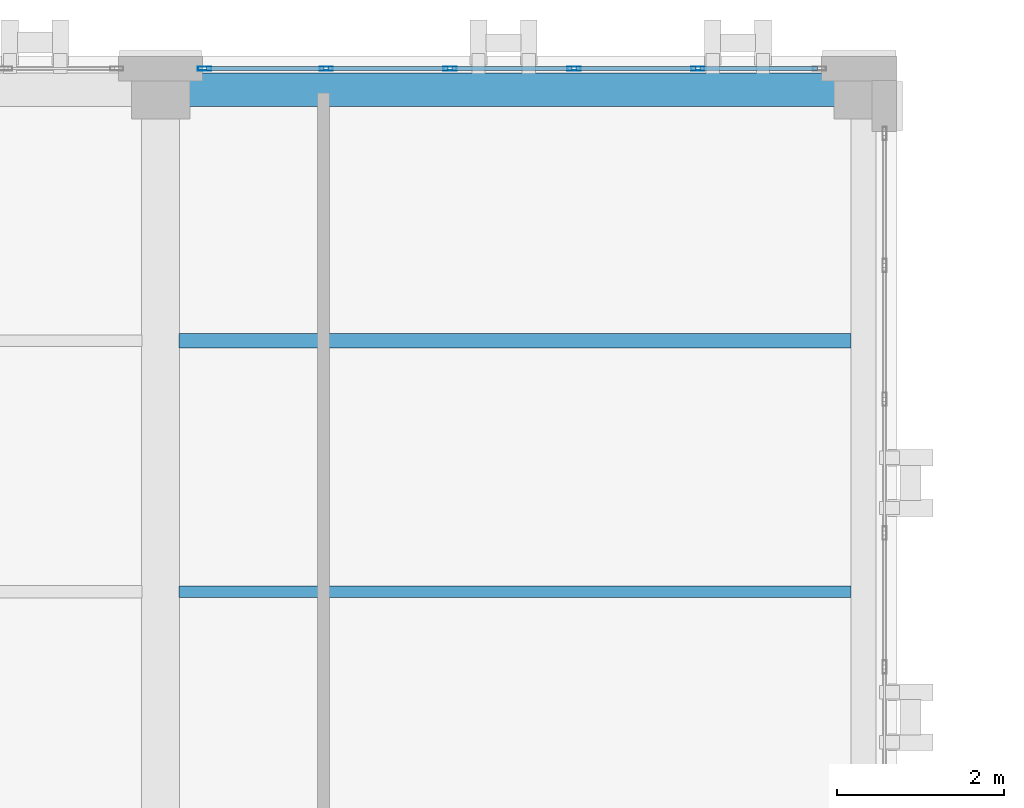
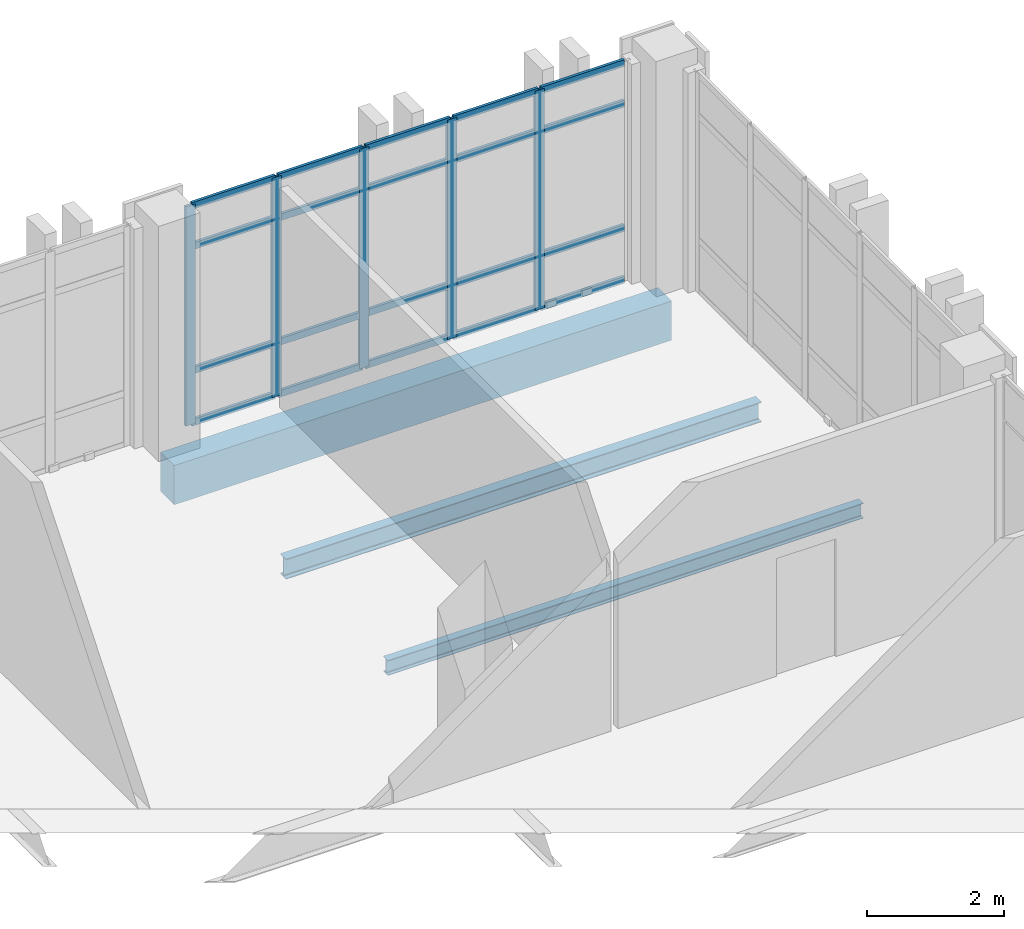
# One storey, part 97 of 165: 25 members, 3 beams, 1 element without a shape of its own.
"""IFC4 building model written with IfcOpenShell, lengths in metres."""

from ifc_helpers import new_model, si_unit, direction, frame, origin, origin_2d, place, context, subcontext, project, spatial, rectangle, hollow_rectangle, i_section, extrude, material, layer, layer_set, material_profile, profile_set, type_object, element, aggregate, save


model = new_model("IFC4")

# Units and contexts
model_context = context("Model", 3, precision=1e-05, world=origin(), true_north=direction((0.0, 1.0)))
body_context = subcontext(model_context, "Body", "Model", "MODEL_VIEW")
ifc_project = project(units=[si_unit("LENGTHUNIT", "METRE"), si_unit("AREAUNIT", "SQUARE_METRE"), si_unit("VOLUMEUNIT", "CUBIC_METRE"), si_unit("PLANEANGLEUNIT", "RADIAN"), si_unit("MASSUNIT", "GRAM", prefix="KILO")], contexts=[model_context])

# Site, building, storey
site_placement = place(None, origin())
site = spatial("IfcSite", under=ifc_project, at=site_placement, CompositionType="ELEMENT")
building_placement = place(site_placement, origin())
building = spatial("IfcBuilding", under=site, at=building_placement, Name="Qalavern Law Courts", CompositionType="ELEMENT")
storey_placement = place(building_placement, frame((0.0, 0.0, 14.39990234375)))
storey = spatial("IfcBuildingStorey", under=building, at=storey_placement, Name="L03", CompositionType="ELEMENT", Elevation=14.39990234375)

# Curtain wall, members
ifc_material_1 = material(Name="Anodised aluminium and insulated glazing", Category="aluminium")
ifc_layer = layer(ifc_material_1, 0.166015625)
ifc_layer_set = layer_set([ifc_layer], Name="Anodised aluminium and insulated glazing")
curtain_wall_type = type_object("IfcCurtainWallType", Name="ENV-CW-LIB", PredefinedType="USERDEFINED", material=ifc_layer_set)
curtain_wall_placement = place(storey_placement, origin())
curtain_wall = element("IfcCurtainWall", 1, at=curtain_wall_placement, inside=storey, type_object=curtain_wall_type, Name="V5 unitised curtain wall L03 north 1", ObjectType="UNITISED CURTAIN WALL", PredefinedType="USERDEFINED")
ifc_material_2 = material(Name="Anodised aluminium", Category="aluminium")
ifc_material_profile_1 = material_profile(ifc_material_2, hollow_rectangle(XDim=0.048095703125, YDim=0.159912109375, WallThickness=0.00390625, at=origin_2d()), Name="ALU MULLION 48x160")
ifc_profile_set_1 = profile_set([ifc_material_profile_1], Name="Anodised aluminium")
member_type_1 = type_object("IfcMemberType", Name="ENV-CWM-48x160", PredefinedType="MULLION", material=ifc_profile_set_1)
member_1_placement = place(storey_placement, frame((64.419921875, 112.8525390625, 0.0), z_axis=(0.0, 0.0, 1.0), x_axis=(0.0, -1.0, 0.0)))
member_1 = element("IfcMember", 2, at=member_1_placement, type_object=member_type_1, Name="CW-05 mullion 2", PredefinedType="MULLION", context=body_context, shape_type="SweptSolid", body=[
    extrude(hollow_rectangle(XDim=0.048095703125, YDim=0.159912109375, WallThickness=0.00390625, at=origin_2d()), origin(), (0.0, 0.0, 1.0), 3.920166015625),
])
member_2_placement = place(storey_placement, frame((62.93994140625, 112.8525390625, 0.0), z_axis=(0.0, 0.0, 1.0), x_axis=(0.0, -1.0, 0.0)))
member_2 = element("IfcMember", 3, at=member_2_placement, type_object=member_type_1, Name="CW-05 mullion 3", PredefinedType="MULLION", context=body_context, shape_type="SweptSolid", body=[
    extrude(hollow_rectangle(XDim=0.048095703125, YDim=0.159912109375, WallThickness=0.00390625, at=origin_2d()), origin(), (0.0, 0.0, 1.0), 3.920166015625),
])
member_3_placement = place(storey_placement, frame((61.4599609375, 112.8525390625, 0.0), z_axis=(0.0, 0.0, 1.0), x_axis=(0.0, -1.0, 0.0)))
member_3 = element("IfcMember", 4, at=member_3_placement, type_object=member_type_1, Name="CW-05 mullion 4", PredefinedType="MULLION", context=body_context, shape_type="SweptSolid", body=[
    extrude(hollow_rectangle(XDim=0.048095703125, YDim=0.159912109375, WallThickness=0.00390625, at=origin_2d()), origin(), (0.0, 0.0, 1.0), 3.920166015625),
])
member_4_placement = place(storey_placement, frame((59.97998046875, 112.8525390625, 0.0), z_axis=(0.0, 0.0, 1.0), x_axis=(0.0, -1.0, 0.0)))
member_4 = element("IfcMember", 5, at=member_4_placement, type_object=member_type_1, Name="CW-05 mullion 5", PredefinedType="MULLION", context=body_context, shape_type="SweptSolid", body=[
    extrude(hollow_rectangle(XDim=0.048095703125, YDim=0.159912109375, WallThickness=0.00390625, at=origin_2d()), origin(), (0.0, 0.0, 1.0), 3.920166015625),
])
member_5_placement = place(storey_placement, frame((58.52392578125, 112.8525390625, 0.0), z_axis=(0.0, 0.0, 1.0), x_axis=(0.0, -1.0, 0.0)))
member_5 = element("IfcMember", 6, at=member_5_placement, type_object=member_type_1, Name="CW-05 mullion 6", PredefinedType="MULLION", context=body_context, shape_type="SweptSolid", body=[
    extrude(hollow_rectangle(XDim=0.048095703125, YDim=0.159912109375, WallThickness=0.00390625, at=origin_2d()), origin(), (0.0, 0.0, 1.0), 3.920166015625),
])
ifc_material_profile_2 = material_profile(ifc_material_2, hollow_rectangle(XDim=0.048095703125, YDim=0.1201171875, WallThickness=0.00390625, at=origin_2d()), Name="ALU TRANSOM 48x120")
ifc_profile_set_2 = profile_set([ifc_material_profile_2], Name="Anodised aluminium")
member_type_2 = type_object("IfcMemberType", Name="ENV-CWT-48x120", PredefinedType="USERDEFINED", material=ifc_profile_set_2)
member_6_placement = place(storey_placement, frame((65.85205078125, 112.8525390625, 0.024169921875), z_axis=(-1.0, 0.0, 0.0), x_axis=(0.0, -1.0, 0.0)))
member_6 = element("IfcMember", 7, at=member_6_placement, type_object=member_type_2, Name="CW-05 transom 1.1", ObjectType="TRANSOM", PredefinedType="USERDEFINED", context=body_context, shape_type="SweptSolid", body=[
    extrude(hollow_rectangle(XDim=0.048095703125, YDim=0.1201171875, WallThickness=0.00390625, at=origin_2d()), origin(), (0.0, 0.0, 1.0), 1.407958984375),
])
member_7_placement = place(storey_placement, frame((65.85205078125, 112.8525390625, 0.9501953125), z_axis=(-1.0, 0.0, 0.0), x_axis=(0.0, -1.0, 0.0)))
member_7 = element("IfcMember", 8, at=member_7_placement, type_object=member_type_2, Name="CW-05 transom 1.2", ObjectType="TRANSOM", PredefinedType="USERDEFINED", context=body_context, shape_type="SweptSolid", body=[
    extrude(hollow_rectangle(XDim=0.048095703125, YDim=0.1201171875, WallThickness=0.00390625, at=origin_2d()), origin(), (0.0, 0.0, 1.0), 1.407958984375),
])
member_8_placement = place(storey_placement, frame((65.85205078125, 112.8525390625, 3.170166015625), z_axis=(-1.0, 0.0, 0.0), x_axis=(0.0, -1.0, 0.0)))
member_8 = element("IfcMember", 9, at=member_8_placement, type_object=member_type_2, Name="CW-05 transom 1.3", ObjectType="TRANSOM", PredefinedType="USERDEFINED", context=body_context, shape_type="SweptSolid", body=[
    extrude(hollow_rectangle(XDim=0.048095703125, YDim=0.1201171875, WallThickness=0.00390625, at=origin_2d()), origin(), (0.0, 0.0, 1.0), 1.407958984375),
])
member_9_placement = place(storey_placement, frame((65.85205078125, 112.8525390625, 3.89599609375), z_axis=(-1.0, 0.0, 0.0), x_axis=(0.0, -1.0, 0.0)))
member_9 = element("IfcMember", 10, at=member_9_placement, type_object=member_type_2, Name="CW-05 transom 1.4", ObjectType="TRANSOM", PredefinedType="USERDEFINED", context=body_context, shape_type="SweptSolid", body=[
    extrude(hollow_rectangle(XDim=0.048095703125, YDim=0.1201171875, WallThickness=0.00390625, at=origin_2d()), origin(), (0.0, 0.0, 1.0), 1.407958984375),
])
member_10_placement = place(storey_placement, frame((64.39599609375, 112.8525390625, 0.024169921875), z_axis=(-1.0, 0.0, 0.0), x_axis=(0.0, -1.0, 0.0)))
member_10 = element("IfcMember", 11, at=member_10_placement, type_object=member_type_2, Name="CW-05 transom 2.1", ObjectType="TRANSOM", PredefinedType="USERDEFINED", context=body_context, shape_type="SweptSolid", body=[
    extrude(hollow_rectangle(XDim=0.048095703125, YDim=0.1201171875, WallThickness=0.00390625, at=origin_2d()), origin(), (0.0, 0.0, 1.0), 1.431884765625),
])
member_11_placement = place(storey_placement, frame((64.39599609375, 112.8525390625, 0.9501953125), z_axis=(-1.0, 0.0, 0.0), x_axis=(0.0, -1.0, 0.0)))
member_11 = element("IfcMember", 12, at=member_11_placement, type_object=member_type_2, Name="CW-05 transom 2.2", ObjectType="TRANSOM", PredefinedType="USERDEFINED", context=body_context, shape_type="SweptSolid", body=[
    extrude(hollow_rectangle(XDim=0.048095703125, YDim=0.1201171875, WallThickness=0.00390625, at=origin_2d()), origin(), (0.0, 0.0, 1.0), 1.431884765625),
])
member_12_placement = place(storey_placement, frame((64.39599609375, 112.8525390625, 3.170166015625), z_axis=(-1.0, 0.0, 0.0), x_axis=(0.0, -1.0, 0.0)))
member_12 = element("IfcMember", 13, at=member_12_placement, type_object=member_type_2, Name="CW-05 transom 2.3", ObjectType="TRANSOM", PredefinedType="USERDEFINED", context=body_context, shape_type="SweptSolid", body=[
    extrude(hollow_rectangle(XDim=0.048095703125, YDim=0.1201171875, WallThickness=0.00390625, at=origin_2d()), origin(), (0.0, 0.0, 1.0), 1.431884765625),
])
member_13_placement = place(storey_placement, frame((64.39599609375, 112.8525390625, 3.89599609375), z_axis=(-1.0, 0.0, 0.0), x_axis=(0.0, -1.0, 0.0)))
member_13 = element("IfcMember", 14, at=member_13_placement, type_object=member_type_2, Name="CW-05 transom 2.4", ObjectType="TRANSOM", PredefinedType="USERDEFINED", context=body_context, shape_type="SweptSolid", body=[
    extrude(hollow_rectangle(XDim=0.048095703125, YDim=0.1201171875, WallThickness=0.00390625, at=origin_2d()), origin(), (0.0, 0.0, 1.0), 1.431884765625),
])
member_14_placement = place(storey_placement, frame((62.916015625, 112.8525390625, 0.024169921875), z_axis=(-1.0, 0.0, 0.0), x_axis=(0.0, -1.0, 0.0)))
member_14 = element("IfcMember", 15, at=member_14_placement, type_object=member_type_2, Name="CW-05 transom 3.1", ObjectType="TRANSOM", PredefinedType="USERDEFINED", context=body_context, shape_type="SweptSolid", body=[
    extrude(hollow_rectangle(XDim=0.048095703125, YDim=0.1201171875, WallThickness=0.00390625, at=origin_2d()), origin(), (0.0, 0.0, 1.0), 1.43212890625),
])
member_15_placement = place(storey_placement, frame((62.916015625, 112.8525390625, 0.9501953125), z_axis=(-1.0, 0.0, 0.0), x_axis=(0.0, -1.0, 0.0)))
member_15 = element("IfcMember", 16, at=member_15_placement, type_object=member_type_2, Name="CW-05 transom 3.2", ObjectType="TRANSOM", PredefinedType="USERDEFINED", context=body_context, shape_type="SweptSolid", body=[
    extrude(hollow_rectangle(XDim=0.048095703125, YDim=0.1201171875, WallThickness=0.00390625, at=origin_2d()), origin(), (0.0, 0.0, 1.0), 1.43212890625),
])
member_16_placement = place(storey_placement, frame((62.916015625, 112.8525390625, 3.170166015625), z_axis=(-1.0, 0.0, 0.0), x_axis=(0.0, -1.0, 0.0)))
member_16 = element("IfcMember", 17, at=member_16_placement, type_object=member_type_2, Name="CW-05 transom 3.3", ObjectType="TRANSOM", PredefinedType="USERDEFINED", context=body_context, shape_type="SweptSolid", body=[
    extrude(hollow_rectangle(XDim=0.048095703125, YDim=0.1201171875, WallThickness=0.00390625, at=origin_2d()), origin(), (0.0, 0.0, 1.0), 1.43212890625),
])
member_17_placement = place(storey_placement, frame((62.916015625, 112.8525390625, 3.89599609375), z_axis=(-1.0, 0.0, 0.0), x_axis=(0.0, -1.0, 0.0)))
member_17 = element("IfcMember", 18, at=member_17_placement, type_object=member_type_2, Name="CW-05 transom 3.4", ObjectType="TRANSOM", PredefinedType="USERDEFINED", context=body_context, shape_type="SweptSolid", body=[
    extrude(hollow_rectangle(XDim=0.048095703125, YDim=0.1201171875, WallThickness=0.00390625, at=origin_2d()), origin(), (0.0, 0.0, 1.0), 1.43212890625),
])
member_18_placement = place(storey_placement, frame((61.43603515625, 112.8525390625, 0.024169921875), z_axis=(-1.0, 0.0, 0.0), x_axis=(0.0, -1.0, 0.0)))
member_18 = element("IfcMember", 19, at=member_18_placement, type_object=member_type_2, Name="CW-05 transom 4.1", ObjectType="TRANSOM", PredefinedType="USERDEFINED", context=body_context, shape_type="SweptSolid", body=[
    extrude(hollow_rectangle(XDim=0.048095703125, YDim=0.1201171875, WallThickness=0.00390625, at=origin_2d()), origin(), (0.0, 0.0, 1.0), 1.43212890625),
])
member_19_placement = place(storey_placement, frame((61.43603515625, 112.8525390625, 0.9501953125), z_axis=(-1.0, 0.0, 0.0), x_axis=(0.0, -1.0, 0.0)))
member_19 = element("IfcMember", 20, at=member_19_placement, type_object=member_type_2, Name="CW-05 transom 4.2", ObjectType="TRANSOM", PredefinedType="USERDEFINED", context=body_context, shape_type="SweptSolid", body=[
    extrude(hollow_rectangle(XDim=0.048095703125, YDim=0.1201171875, WallThickness=0.00390625, at=origin_2d()), origin(), (0.0, 0.0, 1.0), 1.43212890625),
])
member_20_placement = place(storey_placement, frame((61.43603515625, 112.8525390625, 3.170166015625), z_axis=(-1.0, 0.0, 0.0), x_axis=(0.0, -1.0, 0.0)))
member_20 = element("IfcMember", 21, at=member_20_placement, type_object=member_type_2, Name="CW-05 transom 4.3", ObjectType="TRANSOM", PredefinedType="USERDEFINED", context=body_context, shape_type="SweptSolid", body=[
    extrude(hollow_rectangle(XDim=0.048095703125, YDim=0.1201171875, WallThickness=0.00390625, at=origin_2d()), origin(), (0.0, 0.0, 1.0), 1.43212890625),
])
member_21_placement = place(storey_placement, frame((61.43603515625, 112.8525390625, 3.89599609375), z_axis=(-1.0, 0.0, 0.0), x_axis=(0.0, -1.0, 0.0)))
member_21 = element("IfcMember", 22, at=member_21_placement, type_object=member_type_2, Name="CW-05 transom 4.4", ObjectType="TRANSOM", PredefinedType="USERDEFINED", context=body_context, shape_type="SweptSolid", body=[
    extrude(hollow_rectangle(XDim=0.048095703125, YDim=0.1201171875, WallThickness=0.00390625, at=origin_2d()), origin(), (0.0, 0.0, 1.0), 1.43212890625),
])
member_22_placement = place(storey_placement, frame((59.9560546875, 112.8525390625, 0.024169921875), z_axis=(-1.0, 0.0, 0.0), x_axis=(0.0, -1.0, 0.0)))
member_22 = element("IfcMember", 23, at=member_22_placement, type_object=member_type_2, Name="CW-05 transom 5.1", ObjectType="TRANSOM", PredefinedType="USERDEFINED", context=body_context, shape_type="SweptSolid", body=[
    extrude(hollow_rectangle(XDim=0.048095703125, YDim=0.1201171875, WallThickness=0.00390625, at=origin_2d()), origin(), (0.0, 0.0, 1.0), 1.407958984375),
])
member_23_placement = place(storey_placement, frame((59.9560546875, 112.8525390625, 0.9501953125), z_axis=(-1.0, 0.0, 0.0), x_axis=(0.0, -1.0, 0.0)))
member_23 = element("IfcMember", 24, at=member_23_placement, type_object=member_type_2, Name="CW-05 transom 5.2", ObjectType="TRANSOM", PredefinedType="USERDEFINED", context=body_context, shape_type="SweptSolid", body=[
    extrude(hollow_rectangle(XDim=0.048095703125, YDim=0.1201171875, WallThickness=0.00390625, at=origin_2d()), origin(), (0.0, 0.0, 1.0), 1.407958984375),
])
member_24_placement = place(storey_placement, frame((59.9560546875, 112.8525390625, 3.170166015625), z_axis=(-1.0, 0.0, 0.0), x_axis=(0.0, -1.0, 0.0)))
member_24 = element("IfcMember", 25, at=member_24_placement, type_object=member_type_2, Name="CW-05 transom 5.3", ObjectType="TRANSOM", PredefinedType="USERDEFINED", context=body_context, shape_type="SweptSolid", body=[
    extrude(hollow_rectangle(XDim=0.048095703125, YDim=0.1201171875, WallThickness=0.00390625, at=origin_2d()), origin(), (0.0, 0.0, 1.0), 1.407958984375),
])
member_25_placement = place(storey_placement, frame((59.9560546875, 112.8525390625, 3.89599609375), z_axis=(-1.0, 0.0, 0.0), x_axis=(0.0, -1.0, 0.0)))
member_25 = element("IfcMember", 26, at=member_25_placement, type_object=member_type_2, Name="CW-05 transom 5.4", ObjectType="TRANSOM", PredefinedType="USERDEFINED", context=body_context, shape_type="SweptSolid", body=[
    extrude(hollow_rectangle(XDim=0.048095703125, YDim=0.1201171875, WallThickness=0.00390625, at=origin_2d()), origin(), (0.0, 0.0, 1.0), 1.407958984375),
])
aggregate(curtain_wall, [member_1, member_2, member_3, member_4, member_5, member_6, member_7, member_8, member_9, member_10, member_11, member_12, member_13, member_14, member_15, member_16, member_17, member_18, member_19, member_20, member_21, member_22, member_23, member_24, member_25])

# Beams
ifc_material_3 = material(Name="Steel S355", Category="steel")
ifc_material_profile_3 = material_profile(ifc_material_3, i_section(OverallWidth=0.135009765625, OverallDepth=0.27001953125, WebThickness=0.006591796875, FlangeThickness=0.01025390625, FilletRadius=0.014892578125, at=origin_2d()), Name="IPE 270")
ifc_profile_set_3 = profile_set([ifc_material_profile_3], Name="Steel S355")
beam_type_1 = type_object("IfcBeamType", Name="STR-JST-IPE270", PredefinedType="JOIST", material=ifc_profile_set_3)
beam_1_placement = place(storey_placement, frame((58.222900390625, 106.60009765625, -0.419921875), z_axis=(1.0, 0.0, 0.0), x_axis=(0.0, 1.0, 0.0)))
element("IfcBeam", 27, at=beam_1_placement, inside=storey, type_object=beam_type_1, Name="V5 secondary joist 8.2.1 L03", PredefinedType="JOIST", context=body_context, shape_type="SweptSolid", body=[
    extrude(i_section(OverallWidth=0.135009765625, OverallDepth=0.27001953125, WebThickness=0.006591796875, FlangeThickness=0.01025390625, FilletRadius=0.014892578125, at=origin_2d()), origin(), (0.0, 0.0, 1.0), 8.029052734375),
])
ifc_material_profile_4 = material_profile(ifc_material_3, i_section(OverallWidth=0.169921875, OverallDepth=0.360107421875, WebThickness=0.008056640625, FlangeThickness=0.0126953125, FilletRadius=0.01806640625, at=origin_2d()), Name="IPE 360")
ifc_profile_set_4 = profile_set([ifc_material_profile_4], Name="Steel S355")
beam_type_2 = type_object("IfcBeamType", Name="STR-JST-IPE360", PredefinedType="JOIST", material=ifc_profile_set_4)
beam_2_placement = place(storey_placement, frame((58.222900390625, 109.60009765625, -0.46484375), z_axis=(1.0, 0.0, 0.0), x_axis=(0.0, 1.0, 0.0)))
element("IfcBeam", 28, at=beam_2_placement, inside=storey, type_object=beam_type_2, Name="V5 secondary joist 8.2.2 L03", PredefinedType="JOIST", context=body_context, shape_type="SweptSolid", body=[
    extrude(i_section(OverallWidth=0.169921875, OverallDepth=0.360107421875, WebThickness=0.008056640625, FlangeThickness=0.0126953125, FilletRadius=0.01806640625, at=origin_2d()), origin(), (0.0, 0.0, 1.0), 8.029052734375),
])
ifc_material_4 = material(Name="Concrete C40/50", Category="concrete")
ifc_material_profile_5 = material_profile(ifc_material_4, rectangle(XDim=0.39990234375, YDim=0.699951171875, at=origin_2d()), Name="RC 400x700")
ifc_profile_set_5 = profile_set([ifc_material_profile_5], Name="Concrete C40/50")
beam_type_3 = type_object("IfcBeamType", Name="STR-SP-RC400x700", PredefinedType="SPANDREL", material=ifc_profile_set_5)
beam_3_placement = place(storey_placement, frame((58.0, 112.60009765625, -0.635009765625), z_axis=(1.0, 0.0, 0.0), x_axis=(0.0, 1.0, 0.0)))
element("IfcBeam", 29, at=beam_3_placement, inside=storey, type_object=beam_type_3, Name="V5 X-beam 3-8 L03", PredefinedType="SPANDREL", context=body_context, shape_type="SweptSolid", body=[
    extrude(rectangle(XDim=0.39990234375, YDim=0.699951171875, at=origin_2d()), origin(), (0.0, 0.0, 1.0), 8.39990234375),
])

save(model, "model.ifc")
